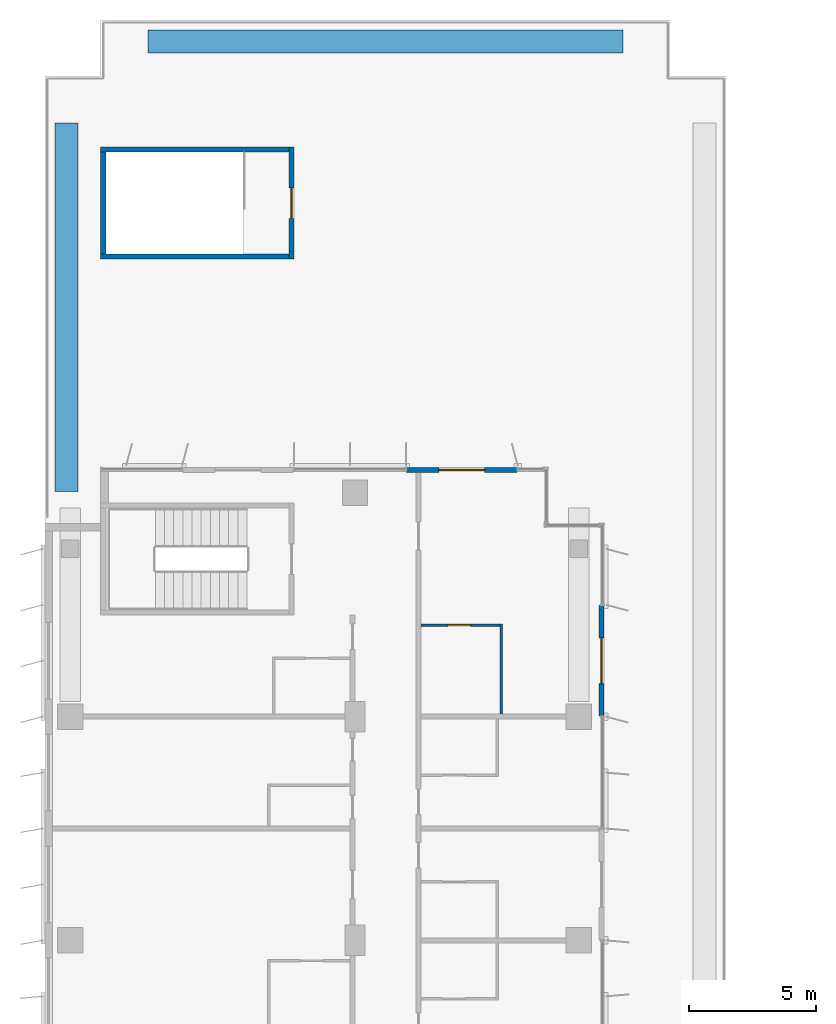
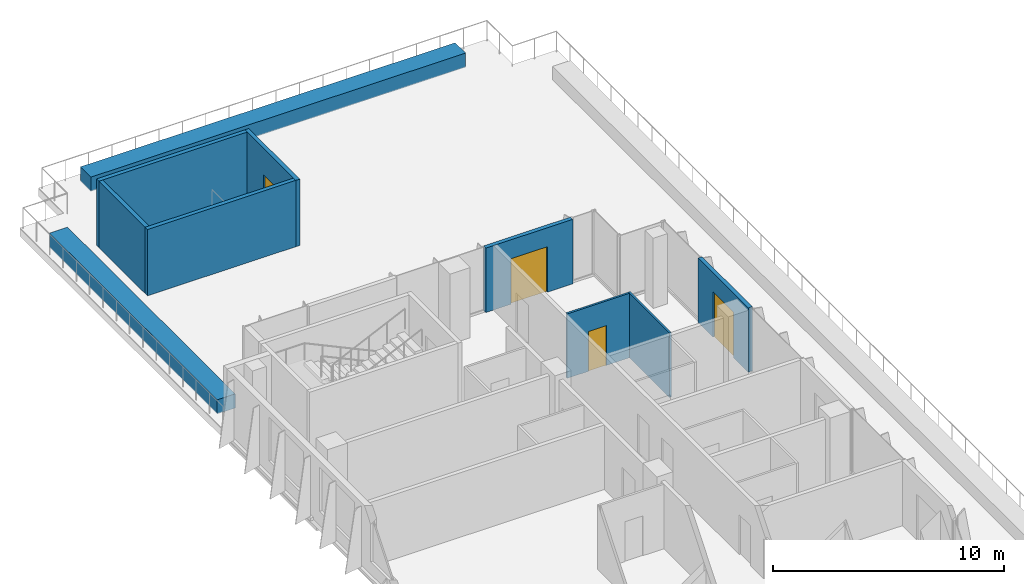
# One storey, part 17 of 22: 10 walls, 4 doors, 4 openings.
"""IFC4 building model written with IfcOpenShell, lengths in metres."""

from ifc_helpers import new_model, si_unit, direction, frame, frame_2d, origin, place, context, subcontext, project, spatial, rectangle, extrude, material, layer, layer_set, type_object, element, fill, save


model = new_model("IFC4")

# Units and contexts
model_context = context("Model", 3, precision=1e-05, world=origin(), true_north=direction((0.0, 1.0)))
body_context = subcontext(model_context, "Body", "Model", "MODEL_VIEW")
ifc_project = project(units=[si_unit("LENGTHUNIT", "METRE"), si_unit("AREAUNIT", "SQUARE_METRE"), si_unit("VOLUMEUNIT", "CUBIC_METRE"), si_unit("PLANEANGLEUNIT", "RADIAN"), si_unit("MASSUNIT", "GRAM", prefix="KILO")], contexts=[model_context])

# Site, building, storey
site_placement = place(None, origin())
site = spatial("IfcSite", under=ifc_project, at=site_placement, CompositionType="ELEMENT")
building_placement = place(site_placement, origin())
building = spatial("IfcBuilding", under=site, at=building_placement, Name="Kemantara Hotel Tower", CompositionType="ELEMENT")
storey_placement = place(building_placement, frame((0.0, 0.0, 153.10009765625)))
storey = spatial("IfcBuildingStorey", under=building, at=storey_placement, Name="L37", CompositionType="ELEMENT", Elevation=153.10009765625)

# Wall, opening, door
ifc_material_1 = material(Name="Concrete fc 40 MPa", Category="concrete")
ifc_layer_1 = layer(ifc_material_1, 0.199951171875)
ifc_layer_set_1 = layer_set([ifc_layer_1], Name="Concrete fc 40 MPa")
wall_type_1 = type_object("IfcWallType", Name="Concrete stair wall 200 mm", PredefinedType="SHEAR", material=ifc_layer_set_1)
wall_1_placement = place(storey_placement, frame((9.699951171875, 71.800048828125, 0.0), z_axis=(0.0, 0.0, 1.0), x_axis=(0.0, 1.0, 0.0)))
wall_1 = element("IfcWall", 1, at=wall_1_placement, inside=storey, type_object=wall_type_1, Name="Stair ST6 enclosure wall with door", PredefinedType="SHEAR", context=body_context, shape_type="SweptSolid", body=[
    extrude(rectangle(XDim=4.39990234375, YDim=0.199951171875, at=frame_2d((2.199951171875, 0.0))), origin(), (0.0, 0.0, 1.0), 3.5),
])
opening_1_placement = place(wall_1_placement, frame((1.60009765625, 0.0, 0.0)))
opening_1 = element("IfcOpeningElement", 2, at=opening_1_placement, cuts=wall_1, Name="Opening ST6-C", PredefinedType="OPENING", context=body_context, shape_type="SweptSolid", body=[
    extrude(rectangle(XDim=1.199951171875, YDim=2.10009765625, at=frame_2d((0.60009765625, 1.050048828125))), frame((0.0, 0.10986328125, 0.0), z_axis=(0.0, -1.0, 0.0), x_axis=(1.0, 0.0, 0.0)), (0.0, 0.0, 1.0), 0.219970703125),
])
ifc_material_2 = material(Name="Steel fire door", Category="steel")
door_type_1 = type_object("IfcDoorType", Name="Fire door FD90 1200 x 2100", OperationType="NOTDEFINED", PredefinedType="DOOR", material=ifc_material_2)
door_1_placement = place(opening_1_placement, frame((1.199951171875, 0.0, 0.0), z_axis=(0.0, 0.0, 1.0), x_axis=(-1.0, 0.0, 0.0)))
door_1 = element("IfcDoor", 3, at=door_1_placement, inside=storey, type_object=door_type_1, Name="Stair ST6 door to terrace", OperationType="SINGLE_SWING_LEFT", OverallHeight=2.10009765625, OverallWidth=1.199951171875, PredefinedType="DOOR", context=body_context, shape_type="SweptSolid", body=[
    extrude(rectangle(XDim=1.199951171875, YDim=2.10009765625, at=frame_2d((0.60009765625, 1.050048828125))), frame((0.0, 0.02490234375, 0.0), z_axis=(0.0, -1.0, 0.0), x_axis=(1.0, 0.0, 0.0)), (0.0, 0.0, 1.0), 0.050048828125),
])
fill(opening_1, door_1)

# Walls
for number, where, z_axis, x_axis, name in (
    (4, (2.199951171875, 76.10009765625, 0.0), (0.0, 0.0, 1.0), (1.0, 0.0, 0.0), "Stair ST6 enclosure wall N"),
    (5, (2.199951171875, 71.89990234375, 0.0), (0.0, 0.0, 1.0), (1.0, 0.0, 0.0), "Stair ST6 enclosure wall S"),
):
    element("IfcWall", number, at=place(storey_placement, frame(where, z_axis=z_axis, x_axis=x_axis)), inside=storey, type_object=wall_type_1, Name=name, PredefinedType="SHEAR", context=body_context, shape_type="SweptSolid", body=[
        extrude(rectangle(XDim=7.400146484375, YDim=0.199951171875, at=frame_2d((3.7001953125, 0.0))), origin(), (0.0, 0.0, 1.0), 3.5),
    ])
wall_2_placement = place(storey_placement, frame((2.300048828125, 72.0, 0.0), z_axis=(0.0, 0.0, 1.0), x_axis=(0.0, 1.0, 0.0)))
element("IfcWall", 6, at=wall_2_placement, inside=storey, type_object=wall_type_1, Name="Stair ST6 enclosure wall W", PredefinedType="SHEAR", context=body_context, shape_type="SweptSolid", body=[
    extrude(rectangle(XDim=4.0, YDim=0.199951171875, at=frame_2d((2.0, 0.0))), origin(), (0.0, 0.0, 1.0), 3.5),
])
ifc_material_3 = material(Name="Concrete K-350 (fc 29 MPa)", Category="concrete")
ifc_layer_2 = layer(ifc_material_3, 0.89990234375)
ifc_layer_set_2 = layer_set([ifc_layer_2], Name="Concrete K-350 (fc 29 MPa)")
wall_type_2 = type_object("IfcWallType", Name="PLANTER, RAISED CONCRETE TROUGH 900x700", PredefinedType="STANDARD", material=ifc_layer_set_2)
wall_3_placement = place(storey_placement, frame((0.85009765625, 62.64990234375, -0.050048828125), z_axis=(0.0, 0.0, 1.0), x_axis=(0.0, 1.0, 0.0)))
element("IfcWall", 7, at=wall_3_placement, inside=storey, type_object=wall_type_2, Name="PLANTER TERRACE-S2-1.1", PredefinedType="STANDARD", context=body_context, shape_type="SweptSolid", body=[
    extrude(rectangle(XDim=14.5, YDim=0.89990234375, at=frame_2d((7.25, 0.0))), origin(), (0.0, 0.0, 1.0), 0.75),
])
wall_4_placement = place(storey_placement, frame((4.050048828125, 80.35009765625, -0.050048828125), z_axis=(0.0, 0.0, 1.0), x_axis=(1.0, 0.0, 0.0)))
element("IfcWall", 8, at=wall_4_placement, inside=storey, type_object=wall_type_2, Name="PLANTER TERRACE-S2-1.2", PredefinedType="STANDARD", context=body_context, shape_type="SweptSolid", body=[
    extrude(rectangle(XDim=18.699951171875, YDim=0.89990234375, at=frame_2d((9.35009765625, 0.0))), origin(), (0.0, 0.0, 1.0), 0.75),
])
ifc_material_4 = material(Name="Gypsum board partition on steel studs, 100 mm", Category="steel")
ifc_layer_3 = layer(ifc_material_4, 0.10009765625)
ifc_layer_set_3 = layer_set([ifc_layer_3], Name="Gypsum board partition on steel studs, 100 mm")
wall_type_3 = type_object("IfcWallType", Name="ROOM PARTITION 100", PredefinedType="PARTITIONING", material=ifc_layer_set_3)
wall_5_placement = place(storey_placement, frame((17.949951171875, 53.89990234375, 0.0), z_axis=(0.0, 0.0, 1.0), x_axis=(0.0, 1.0, 0.0)))
element("IfcWall", 9, at=wall_5_placement, inside=storey, type_object=wall_type_3, Name="ROOM PARTITION 100 086", PredefinedType="PARTITIONING", context=body_context, shape_type="SweptSolid", body=[
    extrude(rectangle(XDim=3.550048828125, YDim=0.10009765625, at=frame_2d((1.77490234375, 0.0))), origin(), (0.0, 0.0, 1.0), 3.39990234375),
])

# Wall, opening, door
wall_6_placement = place(storey_placement, frame((17.89990234375, 57.39990234375, 0.0), z_axis=(0.0, 0.0, 1.0), x_axis=(-1.0, 0.0, 0.0)))
wall_6 = element("IfcWall", 10, at=wall_6_placement, inside=storey, type_object=wall_type_3, Name="ROOM PARTITION 100 087", PredefinedType="PARTITIONING", context=body_context, shape_type="SweptSolid", body=[
    extrude(rectangle(XDim=3.099853515625, YDim=0.10009765625, at=frame_2d((1.5498046875, 0.0))), origin(), (0.0, 0.0, 1.0), 3.39990234375),
])
opening_2_placement = place(wall_6_placement, frame((1.14990234375, 0.0, 0.0)))
opening_2 = element("IfcOpeningElement", 11, at=opening_2_placement, cuts=wall_6, Name="Opening F17-051", PredefinedType="OPENING", context=body_context, shape_type="SweptSolid", body=[
    extrude(rectangle(XDim=0.89990234375, YDim=2.10009765625, at=frame_2d((0.449951171875, 1.050048828125))), frame((0.0, 0.06005859375, 0.0), z_axis=(0.0, -1.0, 0.0), x_axis=(1.0, 0.0, 0.0)), (0.0, 0.0, 1.0), 0.1201171875),
])
ifc_material_5 = material(Name="Hardwood veneer door leaf with steel frame", Category="steel")
door_type_2 = type_object("IfcDoorType", Name="BATHROOM DOOR 900 X 2100", OperationType="NOTDEFINED", PredefinedType="DOOR", material=ifc_material_5)
door_2_placement = place(opening_2_placement, origin())
door_2 = element("IfcDoor", 12, at=door_2_placement, inside=storey, type_object=door_type_2, Name="BATHROOM DOOR F17-051", OperationType="SINGLE_SWING_RIGHT", OverallHeight=2.10009765625, OverallWidth=0.89990234375, PredefinedType="DOOR", context=body_context, shape_type="SweptSolid", body=[
    extrude(rectangle(XDim=0.89990234375, YDim=2.10009765625, at=frame_2d((0.449951171875, 1.050048828125))), frame((0.0, 0.02490234375, 0.0), z_axis=(0.0, -1.0, 0.0), x_axis=(1.0, 0.0, 0.0)), (0.0, 0.0, 1.0), 0.050048828125),
])
fill(opening_2, door_2)

ifc_material_6 = material(Name="Bronze ceramic cladding on insulated steel stud wall", Category="steel")
ifc_layer_4 = layer(ifc_material_6, 0.199951171875)
ifc_layer_set_4 = layer_set([ifc_layer_4], Name="Bronze ceramic cladding on insulated steel stud wall")
wall_type_4 = type_object("IfcWallType", Name="TERRACE DOOR BAY WALL 200", PredefinedType="STANDARD", material=ifc_layer_set_4)
wall_7_placement = place(storey_placement, frame((18.570068359375, 63.5, 0.0), z_axis=(0.0, 0.0, 1.0), x_axis=(-1.0, 0.0, 0.0)))
wall_7 = element("IfcWall", 13, at=wall_7_placement, inside=storey, type_object=wall_type_4, Name="TERRACE DOOR BAY WALL L37 T3-R02-1", PredefinedType="STANDARD", context=body_context, shape_type="SweptSolid", body=[
    extrude(rectangle(XDim=4.340087890625, YDim=0.199951171875, at=frame_2d((2.169921875, 0.0))), origin(), (0.0, 0.0, 1.0), 3.39990234375),
])
opening_3_placement = place(wall_7_placement, frame((1.27001953125, 0.0, 0.0)))
opening_3 = element("IfcOpeningElement", 14, at=opening_3_placement, cuts=wall_7, Name="Opening TD-L37-01", PredefinedType="OPENING", context=body_context, shape_type="SweptSolid", body=[
    extrude(rectangle(XDim=1.800048828125, YDim=2.39990234375, at=frame_2d((0.89990234375, 1.199951171875))), frame((0.0, 0.10986328125, 0.0), z_axis=(0.0, -1.0, 0.0), x_axis=(1.0, 0.0, 0.0)), (0.0, 0.0, 1.0), 0.219970703125),
])
ifc_material_7 = material(Name="Toughened tinted glass in bronze anodised aluminium frame", Category="aluminium")
door_type_3 = type_object("IfcDoorType", Name="TERRACE DOOR, DOUBLE LEAF GLAZED 1800x2400", OperationType="DOUBLE_DOOR_SINGLE_SWING", PredefinedType="DOOR", material=ifc_material_7)
door_3_placement = place(opening_3_placement, origin())
door_3 = element("IfcDoor", 15, at=door_3_placement, inside=storey, type_object=door_type_3, Name="TERRACE DOOR L37 T3-R02-1", OperationType="SINGLE_SWING_LEFT", OverallHeight=2.39990234375, OverallWidth=1.800048828125, PredefinedType="DOOR", context=body_context, shape_type="SweptSolid", body=[
    extrude(rectangle(XDim=1.800048828125, YDim=2.39990234375, at=frame_2d((0.89990234375, 1.199951171875))), frame((0.0, 0.02490234375, 0.0), z_axis=(0.0, -1.0, 0.0), x_axis=(1.0, 0.0, 0.0)), (0.0, 0.0, 1.0), 0.050048828125),
])
fill(opening_3, door_3)

wall_8_placement = place(storey_placement, frame((21.89990234375, 53.830078125, 0.0), z_axis=(0.0, 0.0, 1.0), x_axis=(0.0, 1.0, 0.0)))
wall_8 = element("IfcWall", 16, at=wall_8_placement, inside=storey, type_object=wall_type_4, Name="TERRACE DOOR BAY WALL L37 T3-R17-4", PredefinedType="STANDARD", context=body_context, shape_type="SweptSolid", body=[
    extrude(rectangle(XDim=4.33984375, YDim=0.199951171875, at=frame_2d((2.169921875, 0.0))), origin(), (0.0, 0.0, 1.0), 3.39990234375),
])
opening_4_placement = place(wall_8_placement, frame((1.27001953125, 0.0, 0.0)))
opening_4 = element("IfcOpeningElement", 17, at=opening_4_placement, cuts=wall_8, Name="Opening TD-L37-04", PredefinedType="OPENING", context=body_context, shape_type="SweptSolid", body=[
    extrude(rectangle(XDim=1.800048828125, YDim=2.39990234375, at=frame_2d((0.89990234375, 1.199951171875))), frame((0.0, 0.10986328125, 0.0), z_axis=(0.0, -1.0, 0.0), x_axis=(1.0, 0.0, 0.0)), (0.0, 0.0, 1.0), 0.219970703125),
])
door_4_placement = place(opening_4_placement, origin())
door_4 = element("IfcDoor", 18, at=door_4_placement, inside=storey, type_object=door_type_3, Name="TERRACE DOOR L37 T3-R17-4", OperationType="SINGLE_SWING_LEFT", OverallHeight=2.39990234375, OverallWidth=1.800048828125, PredefinedType="DOOR", context=body_context, shape_type="SweptSolid", body=[
    extrude(rectangle(XDim=1.800048828125, YDim=2.39990234375, at=frame_2d((0.89990234375, 1.199951171875))), frame((0.0, 0.02490234375, 0.0), z_axis=(0.0, -1.0, 0.0), x_axis=(1.0, 0.0, 0.0)), (0.0, 0.0, 1.0), 0.050048828125),
])
fill(opening_4, door_4)

save(model, "model.ifc")
